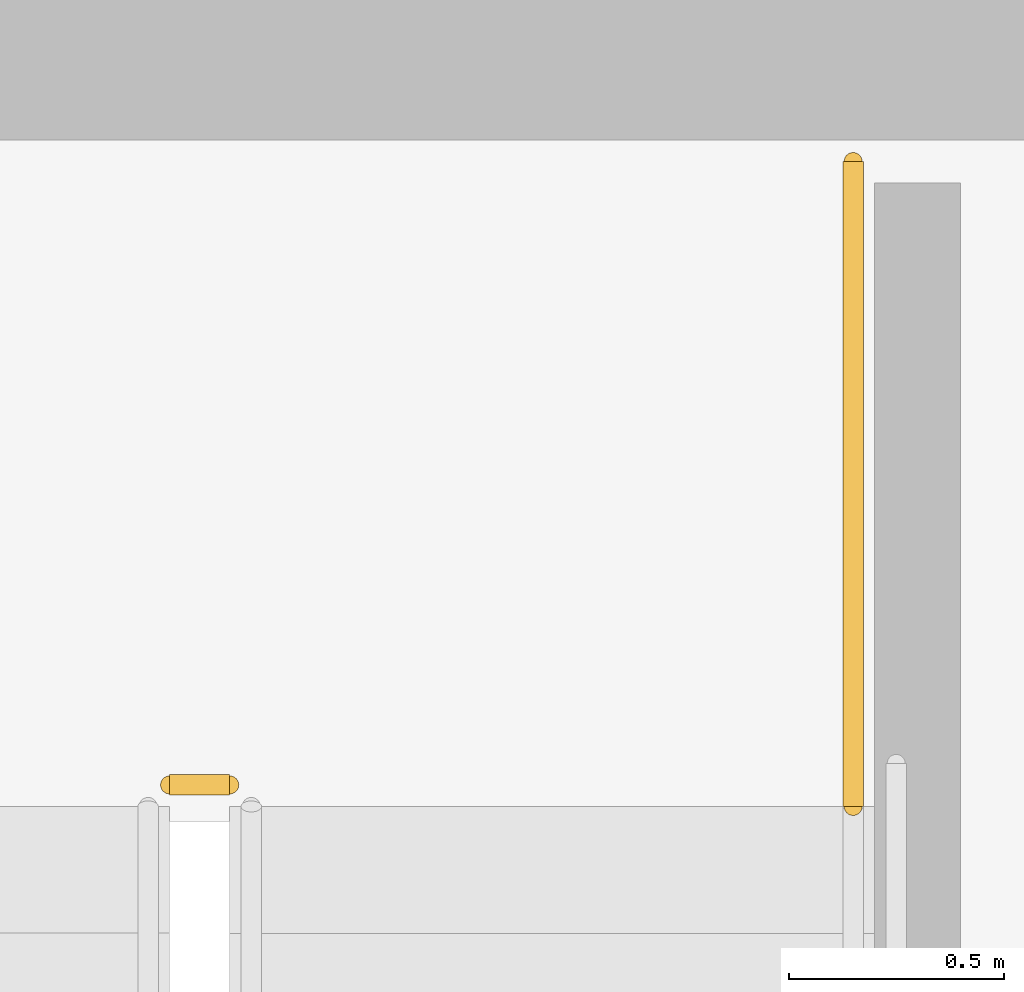
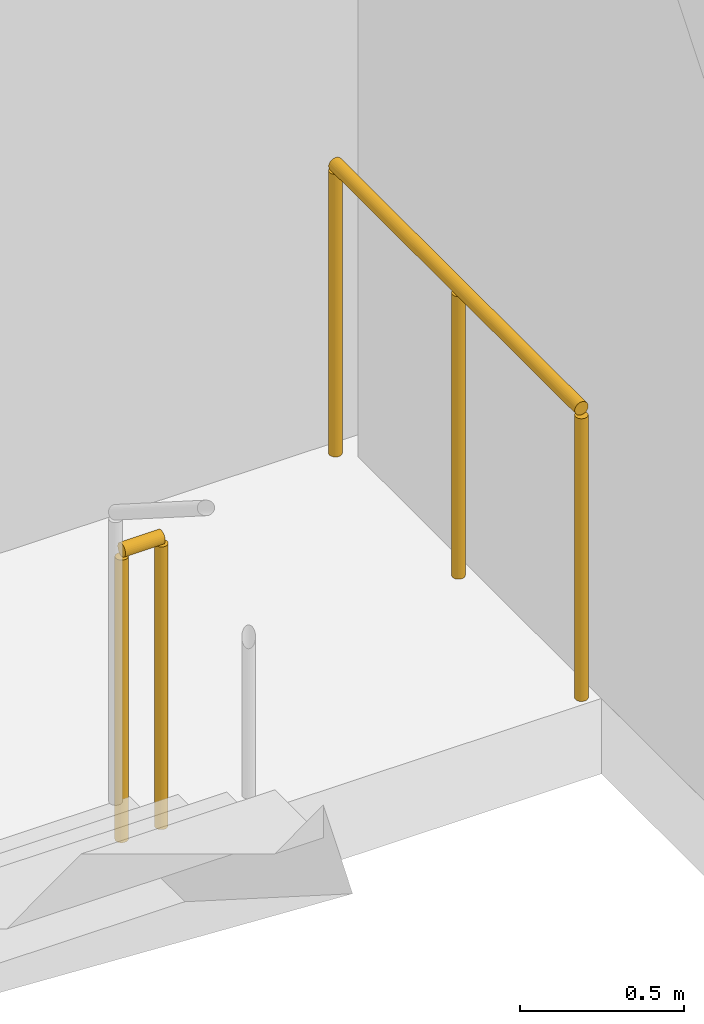
# One storey, part 32 of 32: 2 railings.
"""IFC4 building model written with IfcOpenShell, lengths in metres."""

from ifc_helpers import new_model, si_unit, direction, frame, origin, origin_2d, place, context, subcontext, project, spatial, circle, extrude, material, layer, layer_set, type_object, element, save


model = new_model("IFC4")

# Units and contexts
model_context = context("Model", 3, precision=1e-05, world=origin(), true_north=direction((0.0, 1.0)))
body_context = subcontext(model_context, "Body", "Model", "MODEL_VIEW")
ifc_project = project(units=[si_unit("LENGTHUNIT", "METRE"), si_unit("AREAUNIT", "SQUARE_METRE"), si_unit("VOLUMEUNIT", "CUBIC_METRE"), si_unit("PLANEANGLEUNIT", "RADIAN"), si_unit("MASSUNIT", "GRAM", prefix="KILO")], contexts=[model_context])

# Site, building, storey
site_placement = place(None, origin())
site = spatial("IfcSite", under=ifc_project, at=site_placement, CompositionType="ELEMENT")
building_placement = place(site_placement, origin())
building = spatial("IfcBuilding", under=site, at=building_placement, Name="Ndaravel Arena Tower", CompositionType="ELEMENT")
storey_placement = place(building_placement, frame((0.0, 0.0, 278.800048828125)))
storey = spatial("IfcBuildingStorey", under=building, at=storey_placement, Name="L68", CompositionType="ELEMENT", Elevation=278.800048828125)

# Railings
ifc_material = material(Name="Steel S355", Category="steel")
ifc_layer = layer(ifc_material, 0.06005859375)
ifc_layer_set = layer_set([ifc_layer], Name="Steel S355")
railing_type = type_object("IfcRailingType", Name="RAIL-STAIR-GD1100", PredefinedType="GUARDRAIL", material=ifc_layer_set)
railing_1_placement = place(storey_placement, frame((55.10009765625, 13.300048828125, 0.0)))
element("IfcRailing", 1, at=railing_1_placement, inside=storey, type_object=railing_type, Name="L68 ST-3 stair guard 4", PredefinedType="GUARDRAIL", context=body_context, shape_type="SweptSolid", body=[
    extrude(circle(Radius=0.02392578125, at=origin_2d()), frame((0.0, 0.0, 1.076171875), z_axis=(1.0, 0.0, 0.0), x_axis=(0.0, 1.0, 0.0)), (0.0, 0.0, 1.0), 0.139892578125),
    extrude(circle(Radius=0.02099609375, at=origin_2d()), origin(), (0.0, 0.0, 1.0), 1.052001953125),
    extrude(circle(Radius=0.02099609375, at=origin_2d()), frame((0.139892578125, 0.0, 0.0)), (0.0, 0.0, 1.0), 1.052001953125),
])
railing_2_placement = place(storey_placement, frame((56.68994140625, 14.75, 0.0)))
element("IfcRailing", 2, at=railing_2_placement, inside=storey, type_object=railing_type, Name="L68 ST-3 stair guard 5", PredefinedType="GUARDRAIL", context=body_context, shape_type="SweptSolid", body=[
    extrude(circle(Radius=0.02392578125, at=origin_2d()), frame((0.0, 0.0, 1.076171875), z_axis=(0.0, -1.0, 0.0), x_axis=(1.0, 0.0, 0.0)), (0.0, 0.0, 1.0), 1.5),
    extrude(circle(Radius=0.02099609375, at=origin_2d()), origin(), (0.0, 0.0, 1.0), 1.052001953125),
    extrude(circle(Radius=0.02099609375, at=origin_2d()), frame((0.0, -0.75, 0.0)), (0.0, 0.0, 1.0), 1.052001953125),
    extrude(circle(Radius=0.02099609375, at=origin_2d()), frame((0.0, -1.5, 0.0)), (0.0, 0.0, 1.0), 1.052001953125),
])

save(model, "model.ifc")
